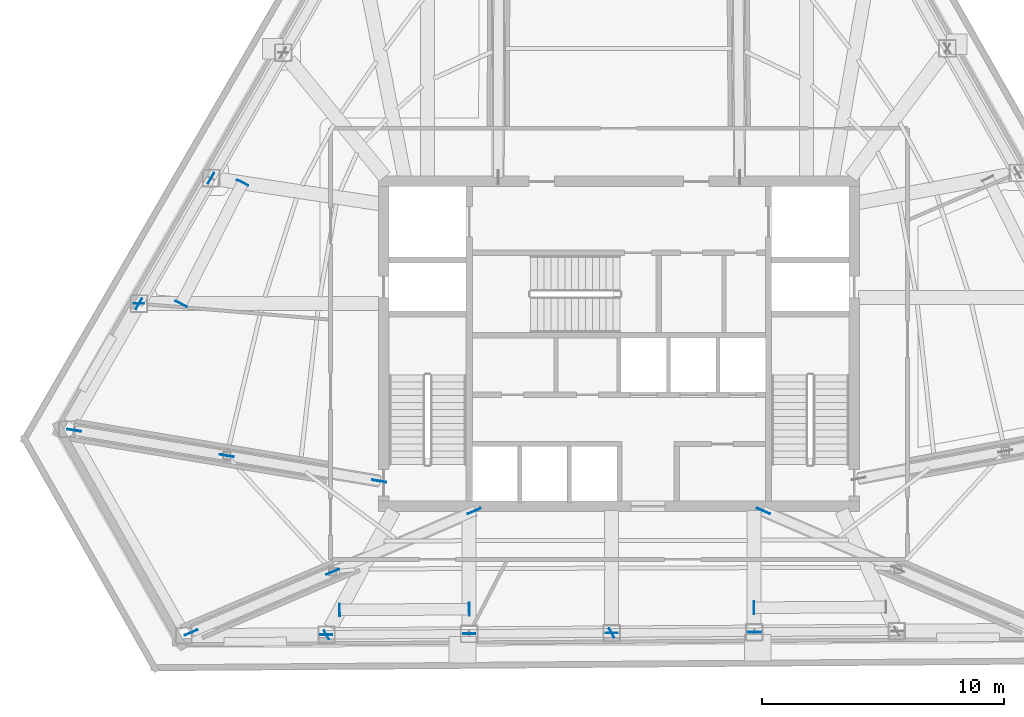
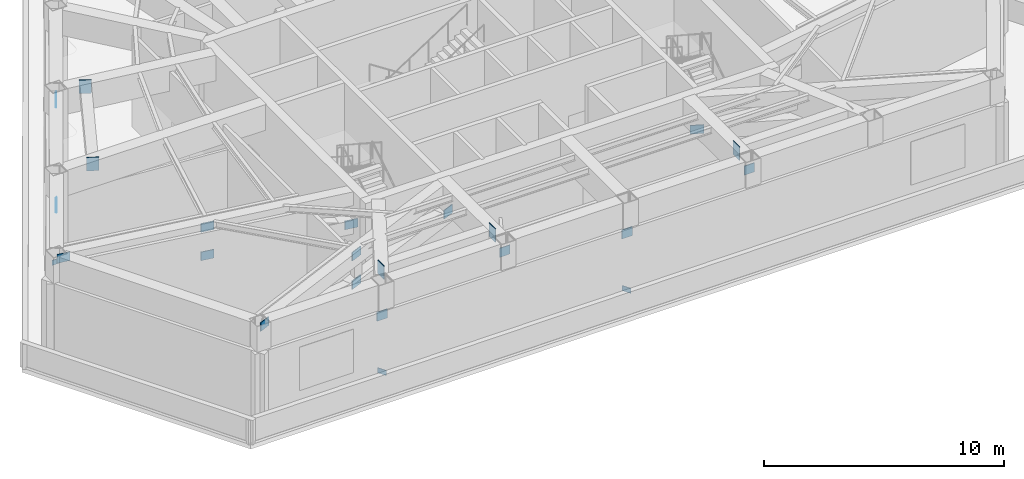
# One storey, part 5 of 13: 23 plates.
"""IFC4 building model written with IfcOpenShell, lengths in metres."""

import ifcopenshell
import ifcopenshell.guid

model = None  # the IFC model being written
_history = None  # IfcOwnerHistory: only IFC2X3 demands one
_inside = {}  # id of a spatial element -> (the spatial element, [elements in it])
_under = {}  # id of a project, library or spatial element -> (it, [spatial elements below it])
_declared = {}  # id of a project -> (the project, [libraries it declares])
_typed = {}  # id of a type object -> (the type object, [elements of that type])
_made_of = {}  # id of a material, layer set ... -> (it, [elements and type objects made of it])


def new_model(schema):
    """Start an empty IFC model of exactly this schema.

    Asked for "IFC4X3", IfcOpenShell would pick the latest addendum, in which some entities
    have other attributes; the version numbers below select the first issue.
    IFC2X3 requires an IfcOwnerHistory on every rooted entity: one is made here for all.
    """
    global model, _history
    if schema == "IFC4X3":
        model = ifcopenshell.file(schema_version=(4, 3, 0, 0))
    else:
        model = ifcopenshell.file(schema=schema)
    _inside.clear()
    _under.clear()
    _declared.clear()
    _typed.clear()
    _made_of.clear()
    _history = None
    if model.schema == "IFC2X3":
        org = make("IfcOrganization", Name="unknown")
        user = make(
            "IfcPersonAndOrganization",
            ThePerson=make("IfcPerson", FamilyName="unknown"),
            TheOrganization=org,
        )
        app = make(
            "IfcApplication",
            ApplicationDeveloper=org,
            Version="unknown",
            ApplicationFullName="unknown",
            ApplicationIdentifier="unknown",
        )
        _history = make(
            "IfcOwnerHistory",
            OwningUser=user,
            OwningApplication=app,
            ChangeAction="ADDED",
            CreationDate=0,
        )
    return model


def make(cls, **values):
    """One entity of the class cls with the attributes given. An attribute that is None is left unset."""
    return model.create_entity(
        cls, **{name: value for name, value in values.items() if value is not None}
    )


def rooted(cls, **values):
    """An entity with a GlobalId (a new one), such as an element, a storey or a relation."""
    return make(cls, GlobalId=ifcopenshell.guid.new(), OwnerHistory=_history, **values)


def si_unit(unit_type, name, prefix=None):
    """IfcSIUnit, for example si_unit("LENGTHUNIT", "METRE", prefix="MILLI")."""
    return make("IfcSIUnit", UnitType=unit_type, Prefix=prefix, Name=name)


def assignment(units):
    """IfcUnitAssignment: the units of a project."""
    return None if units is None else make("IfcUnitAssignment", Units=units)


def point(xyz):
    """IfcCartesianPoint."""
    return None if xyz is None else make("IfcCartesianPoint", Coordinates=xyz)


def direction(xyz):
    """IfcDirection."""
    return None if xyz is None else make("IfcDirection", DirectionRatios=xyz)


def frame(location, z_axis=None, x_axis=None):
    """IfcAxis2Placement3D, a coordinate frame: its origin and axes. An axis left out is left unset."""
    return make(
        "IfcAxis2Placement3D",
        Location=point(location),
        Axis=direction(z_axis),
        RefDirection=direction(x_axis),
    )


def frame_2d(location, x_axis=None):
    """IfcAxis2Placement2D, a coordinate frame in the plane: its origin and x axis."""
    return make(
        "IfcAxis2Placement2D", Location=point(location), RefDirection=direction(x_axis)
    )


def origin():
    """The frame at (0, 0, 0) with its axes left unset."""
    return frame((0.0, 0.0, 0.0))


def origin_2d():
    """The frame at (0, 0) in the plane with its x axis left unset."""
    return frame_2d((0.0, 0.0))


def place(relative_to, where):
    """IfcLocalPlacement: puts the frame where relative to a parent placement (None: the world)."""
    return make(
        "IfcLocalPlacement", PlacementRelTo=relative_to, RelativePlacement=where
    )


def context(
    kind, dimensions, precision=None, world=None, true_north=None, identifier=None
):
    """IfcGeometricRepresentationContext, for example the 3D "Model" context."""
    return make(
        "IfcGeometricRepresentationContext",
        ContextIdentifier=identifier,
        ContextType=kind,
        CoordinateSpaceDimension=dimensions,
        Precision=precision,
        WorldCoordinateSystem=world,
        TrueNorth=true_north,
    )


def subcontext(parent, identifier, kind, view, scale=None):
    """IfcGeometricRepresentationSubContext, for example "Body" below "Model"."""
    return make(
        "IfcGeometricRepresentationSubContext",
        ContextIdentifier=identifier,
        ContextType=kind,
        ParentContext=parent,
        TargetScale=scale,
        TargetView=view,
    )


def project(units=None, contexts=None):
    """IfcProject with its units and contexts."""
    return rooted(
        "IfcProject",
        Name="project",
        RepresentationContexts=contexts,
        UnitsInContext=assignment(units),
    )


def spatial(cls, under=None, at=None, **own):
    """A site, building, storey or space (cls), placed at a placement, below another one or the project."""
    s = rooted(cls, ObjectPlacement=at, **own)
    if under is not None:
        _under.setdefault(under.id(), (under, []))[1].append(s)
    return s


def profile(cls, at=None, kind="AREA", **sizes):
    """A parametric profile (cls). Its sizes go by their IFC names, for example OverallWidth=200.0."""
    return make(cls, ProfileType=kind, Position=at, **sizes)


def rectangle(**sizes):
    """IfcRectangleProfileDef."""
    return profile("IfcRectangleProfileDef", **sizes)


def extrude(swept, where, along, depth):
    """IfcExtrudedAreaSolid: the profile swept, set in the frame where, extruded along a direction by depth."""
    return make(
        "IfcExtrudedAreaSolid",
        SweptArea=swept,
        Position=where,
        ExtrudedDirection=direction(along),
        Depth=depth,
    )


def shape(context_of_items, identifier, shape_type, items):
    """IfcShapeRepresentation: the items that make up one representation, for example the "Body"."""
    return make(
        "IfcShapeRepresentation",
        ContextOfItems=context_of_items,
        RepresentationIdentifier=identifier,
        RepresentationType=shape_type,
        Items=items,
    )


def material(Name=None, Category=None):
    """IfcMaterial."""
    return make("IfcMaterial", Name=Name, Category=Category)


def layer(
    of_material, thickness, ventilated=None, Name=None, Category=None, Priority=None
):
    """IfcMaterialLayer: one layer of a wall or slab, of a material (None: an air gap)."""
    return make(
        "IfcMaterialLayer",
        Material=of_material,
        LayerThickness=thickness,
        IsVentilated=ventilated,
        Name=Name,
        Category=Category,
        Priority=Priority,
    )


def layer_set(layers, Name=None):
    """IfcMaterialLayerSet."""
    return make("IfcMaterialLayerSet", MaterialLayers=layers, LayerSetName=Name)


def made_of(thing, what):
    """Note that an element or type object is made of a material, layer set ...; save() writes the relation."""
    if what is not None:
        _made_of.setdefault(what.id(), (what, []))[1].append(thing)
    return thing


def type_object(cls, material=None, **own):
    """A type object (cls), such as IfcWallType, which elements share."""
    return made_of(rooted(cls, **own), material)


def element(
    cls,
    number,
    at=None,
    inside=None,
    cuts=None,
    type_object=None,
    material=None,
    context=None,
    identifier="Body",
    shape_type=None,
    held_by="IfcProductDefinitionShape",
    body=None,
    shapes=None,
    **own,
):
    """One element of the class cls, such as IfcWall. Its Tag is "e" and its number.

    at: its placement. inside: the storey or other place that contains it. cuts: it is an
    opening in that element (IfcRelVoidsElement). A single representation is given by context,
    identifier, shape_type and body (its items); several are given by shapes. held_by: the class
    of the entity that holds the representations. save() writes the other relations.
    """
    e = rooted(cls, Tag="e%d" % number, ObjectPlacement=at, **own)
    if body is not None:
        shapes = [shape(context, identifier, shape_type, body)]
    if shapes is not None:
        e.Representation = make(held_by, Representations=shapes)
    if inside is not None:
        _inside.setdefault(inside.id(), (inside, []))[1].append(e)
    if cuts is not None:
        rooted(
            "IfcRelVoidsElement", RelatingBuildingElement=cuts, RelatedOpeningElement=e
        )
    if type_object is not None:
        _typed.setdefault(type_object.id(), (type_object, []))[1].append(e)
    return made_of(e, material)


def aggregate(whole, parts):
    """IfcRelAggregates: a whole, such as a stair, and the parts it consists of."""
    return rooted("IfcRelAggregates", RelatingObject=whole, RelatedObjects=parts)


def save(model, path):
    """Write the relations noted so far, then the file.

    IfcRelAggregates (storeys below a building ...), IfcRelContainedInSpatialStructure (elements
    in a storey), IfcRelDefinesByType, IfcRelAssociatesMaterial and IfcRelDeclares: one each for
    every whole, place, type object, material and project.
    """
    for whole, parts in _under.values():
        aggregate(whole, parts)
    for where, things in _inside.values():
        rooted(
            "IfcRelContainedInSpatialStructure",
            RelatedElements=things,
            RelatingStructure=where,
        )
    for kind, things in _typed.values():
        rooted("IfcRelDefinesByType", RelatedObjects=things, RelatingType=kind)
    for what, things in _made_of.values():
        rooted("IfcRelAssociatesMaterial", RelatedObjects=things, RelatingMaterial=what)
    for by, libraries in _declared.values():
        rooted("IfcRelDeclares", RelatingContext=by, RelatedDefinitions=libraries)
    model.write(path)


model = new_model("IFC4")

# Units and contexts
model_context = context("Model", 3, precision=1e-05, world=origin(), true_north=direction((0.0, 1.0)))
body_context = subcontext(model_context, "Body", "Model", "MODEL_VIEW")
ifc_project = project(units=[si_unit("LENGTHUNIT", "METRE"), si_unit("AREAUNIT", "SQUARE_METRE"), si_unit("VOLUMEUNIT", "CUBIC_METRE"), si_unit("PLANEANGLEUNIT", "RADIAN"), si_unit("MASSUNIT", "GRAM", prefix="KILO")], contexts=[model_context])

# Site, building, storey
site_placement = place(None, origin())
site = spatial("IfcSite", under=ifc_project, at=site_placement, CompositionType="ELEMENT")
building_placement = place(site_placement, origin())
building = spatial("IfcBuilding", under=site, at=building_placement, Name="Kavelnor Concourse Tower", CompositionType="ELEMENT")
storey_placement = place(building_placement, frame((0.0, 0.0, 154.800048828125)))
storey = spatial("IfcBuildingStorey", under=building, at=storey_placement, Name="L39", CompositionType="ELEMENT", Elevation=154.800048828125)

# Plates
ifc_material = material(Name="Steel Grade 350", Category="steel")
ifc_layer_1 = layer(ifc_material, 0.035888671875, Name="Steel Grade 350")
ifc_layer_set_1 = layer_set([ifc_layer_1], Name="Steel Grade 350")
plate_type_1 = type_object("IfcPlateType", Name="PL-GUSSET-OUTRIG", PredefinedType="USERDEFINED", material=ifc_layer_set_1)
for number, where, z_axis, x_axis, name in (
    (1, (28.07958984375, 10.41845703125, 2.9599609375), (0.0, 0.0, 1.0), (-0.986457898163, 0.164014679685, 0.0), "L39 Outrigger Truss Node Gusset Plate GP2 F0B-B0"),
    (2, (21.767822265625, 11.468017578125, 2.9599609375), (0.0, 0.0, 1.0), (-0.986457898163, 0.164014679685, 0.0), "L39 Outrigger Truss Node Gusset Plate GP2 F0B-MB"),
    (3, (21.767822265625, 11.468017578125, 4.405029296875), (0.0, 0.0, 1.0), (-0.986457898163, 0.164014679685, 0.0), "L39 Outrigger Truss Node Gusset Plate GP2 F0B-MT"),
    (4, (15.456298828125, 12.517822265625, 4.405029296875), (0.0, 0.0, 1.0), (-0.986457898163, 0.164014679685, 0.0), "L39 Outrigger Truss Node Gusset Plate GP2 F0B-B1"),
    (5, (32.010986328125, 9.17578125, 2.9599609375), (0.0, 0.0, 1.0), (-0.918997771593, -0.394262724343, 0.0), "L39 Outrigger Truss Node Gusset Plate GP2 F1A-B0"),
    (6, (26.154541015625, 6.663818359375, 2.9599609375), (0.0, 0.0, 1.0), (-0.918997771593, -0.394262724343, 0.0), "L39 Outrigger Truss Node Gusset Plate GP2 F1A-MB"),
    (7, (26.154541015625, 6.663818359375, 4.405029296875), (0.0, 0.0, 1.0), (-0.918997771593, -0.394262724343, 0.0), "L39 Outrigger Truss Node Gusset Plate GP2 F1A-MT"),
    (8, (20.298095703125, 4.151611328125, 4.405029296875), (0.0, 0.0, 1.0), (-0.918997771593, -0.394262724343, 0.0), "L39 Outrigger Truss Node Gusset Plate GP2 F1A-B1"),
    (9, (43.981201171875, 9.17578125, 2.9599609375), (0.0, 0.0, 1.0), (0.917893200535, -0.396827509647, 0.0), "L39 Outrigger Truss Node Gusset Plate GP2 F1B-B0"),
):
    element("IfcPlate", number, at=place(storey_placement, frame(where, z_axis=z_axis, x_axis=x_axis)), inside=storey, type_object=plate_type_1, Name=name, ObjectType="GUSSET_PLATE", PredefinedType="USERDEFINED", context=body_context, shape_type="SweptSolid", body=[
        extrude(rectangle(XDim=0.580078125, YDim=0.035888671875, at=origin_2d()), origin(), (0.0, 0.0, 1.0), 0.43994140625),
    ])
for number, where, z_axis, x_axis, name in (
    (10, (21.116455078125, 22.9453125, 4.10498046875), (0.0, 0.0, 1.0), (-0.498033765367, -0.867157637662, 0.0), "L39 Belt Truss Diagonal F0-B3 End Gusset B"),
    (11, (18.133056640625, 17.75146484375, 2.949951171875), (0.0, 0.0, 1.0), (0.498033765367, 0.867157637662, 0.0), "L39 Belt Truss Diagonal F0-B4 End Gusset A"),
    (12, (25.8837890625, 4.057861328125, 2.949951171875), (0.0, 0.0, 1.0), (0.999981342241, 0.006108614391, 0.0), "L39 Belt Truss Diagonal F1-B1 End Gusset A"),
    (13, (31.808837890625, 4.094482421875, 4.10498046875), (0.0, 0.0, 1.0), (0.999981342241, 0.006108614391, 0.0), "L39 Belt Truss Diagonal F1-B1 End Gusset B"),
    (14, (37.709716796875, 4.130859375, 2.949951171875), (0.0, 0.0, 1.0), (-0.999981342241, -0.006108614391, 0.0), "L39 Belt Truss Diagonal F1-B2 End Gusset A"),
    (15, (43.610595703125, 4.167236328125, 4.10498046875), (0.0, 0.0, 1.0), (0.999981342241, 0.006108614391, 0.0), "L39 Belt Truss Diagonal F1-B3 End Gusset B"),
):
    element("IfcPlate", number, at=place(storey_placement, frame(where, z_axis=z_axis, x_axis=x_axis)), inside=storey, type_object=plate_type_1, Name=name, ObjectType="GUSSET_PLATE", PredefinedType="USERDEFINED", context=body_context, shape_type="SweptSolid", body=[
        extrude(rectangle(XDim=0.5, YDim=0.035888671875, at=origin_2d()), origin(), (0.0, 0.0, 1.0), 0.4599609375),
    ])
ifc_layer_2 = layer(ifc_material, 0.02490234375, Name="Steel Grade 350")
ifc_layer_set_2 = layer_set([ifc_layer_2], Name="Steel Grade 350")
plate_type_2 = type_object("IfcPlateType", Name="PL-SPLICE-FLANGE", PredefinedType="SHEET", material=ifc_layer_set_2)
for number, where, z_axis, x_axis, name in (
    (16, (18.13916015625, 17.76171875, 0.169921875), (0.0, 0.0, 1.0), (1.0, 0.0, 0.0), "L39 Column Flange Splice Plate F0-B5"),
    (17, (25.895751953125, 4.05810546875, 0.169921875), (0.0, 0.0, 1.0), (-0.5, 0.866025403784, 0.0), "L39 Column Flange Splice Plate F1-B1"),
    (18, (37.69775390625, 4.130615234375, 0.169921875), (0.0, 0.0, 1.0), (-0.5, 0.866025403784, 0.0), "L39 Column Flange Splice Plate F1-B3"),
):
    element("IfcPlate", number, at=place(storey_placement, frame(where, z_axis=z_axis, x_axis=x_axis)), inside=storey, type_object=plate_type_2, Name=name, PredefinedType="SHEET", context=body_context, shape_type="SweptSolid", body=[
        extrude(rectangle(XDim=0.419921875, YDim=0.02490234375, at=origin_2d()), origin(), (0.0, 0.0, 1.0), 0.260009765625),
    ])
for number, where, z_axis, x_axis, name in (
    (19, (22.426513671875, 22.76806640625, 4.31494140625), (0.0, 0.0, 1.0), (-0.891718551269, 0.452590350452, 0.0), "L39 Belt Truss Chord End Cap F0-B4-A"),
    (20, (19.880126953125, 17.751953125, 4.31494140625), (0.0, 0.0, 1.0), (0.891718551269, -0.452590350452, 0.0), "L39 Belt Truss Chord End Cap F0-B4-B"),
    (21, (26.441650390625, 5.087646484375, 4.31494140625), (0.0, 0.0, 1.0), (0.00506143322, -0.999987190865, 0.0), "L39 Belt Truss Chord End Cap F1-B1-A"),
    (22, (31.807861328125, 5.115234375, 4.31494140625), (0.0, 0.0, 1.0), (-0.00506143322, 0.999987190865, 0.0), "L39 Belt Truss Chord End Cap F1-B1-B"),
    (23, (43.587646484375, 5.177001953125, 4.31494140625), (0.0, 0.0, 1.0), (0.006108614391, -0.999981342241, 0.0), "L39 Belt Truss Chord End Cap F1-B4-A"),
):
    element("IfcPlate", number, at=place(storey_placement, frame(where, z_axis=z_axis, x_axis=x_axis)), inside=storey, type_object=plate_type_2, Name=name, PredefinedType="SHEET", context=body_context, shape_type="SweptSolid", body=[
        extrude(rectangle(XDim=0.52001953125, YDim=0.028076171875, at=origin_2d()), origin(), (0.0, 0.0, 1.0), 0.68994140625),
    ])

save(model, "model.ifc")
